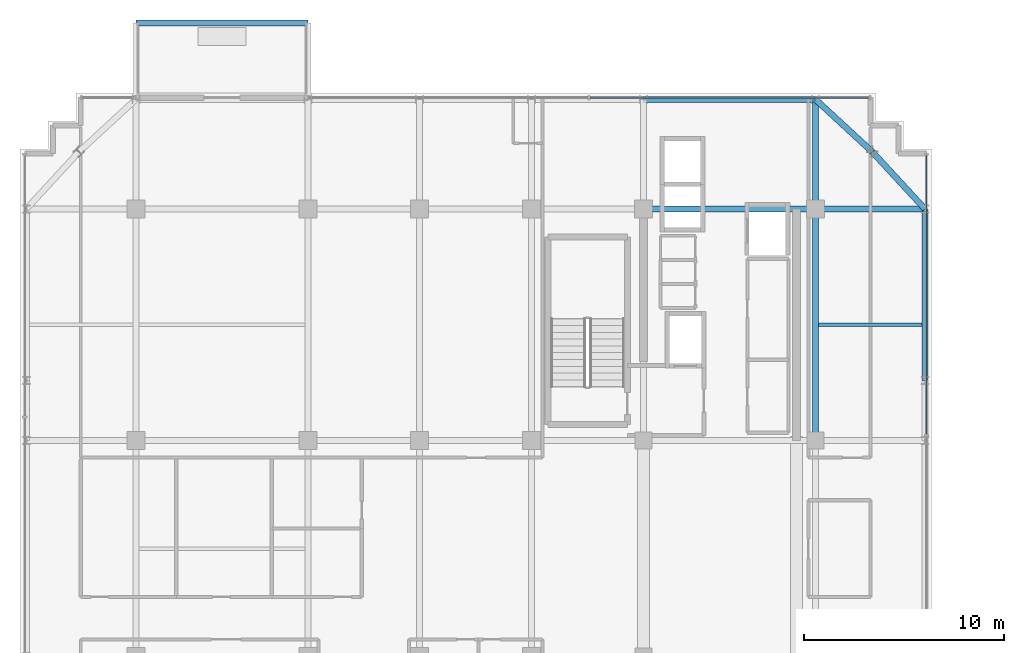
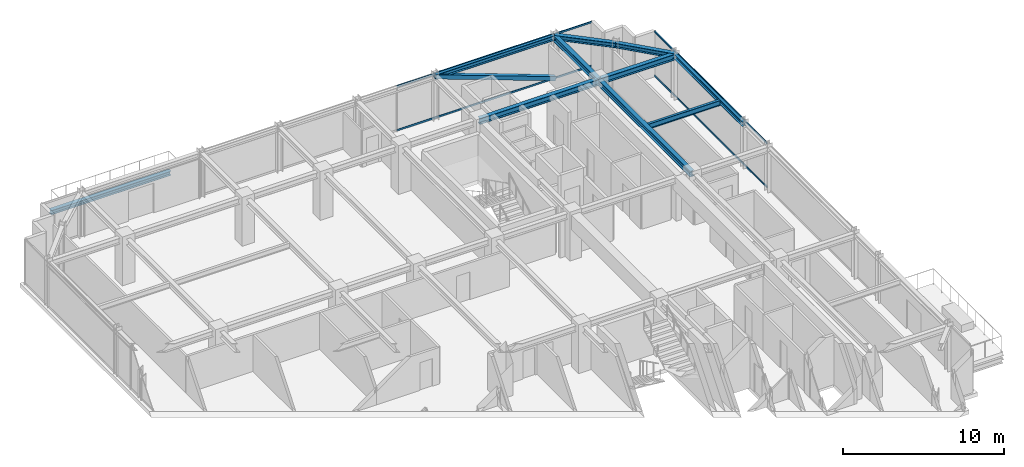
# One storey, part 21 of 31: 10 beams, 5 members, 2 elements without a shape of their own.
"""IFC4 building model written with IfcOpenShell, lengths in metres."""

from ifc_helpers import new_model, si_unit, direction, frame, origin, origin_2d, place, context, subcontext, project, spatial, hollow_rectangle, i_section, extrude, source, transform, mapped, material, material_profile, profile_set, type_object, element, aggregate, save


model = new_model("IFC4")

# Units and contexts
model_context = context("Model", 3, precision=1e-05, world=origin(), true_north=direction((0.0, 1.0)))
body_context = subcontext(model_context, "Body", "Model", "MODEL_VIEW")
ifc_project = project(units=[si_unit("LENGTHUNIT", "METRE"), si_unit("AREAUNIT", "SQUARE_METRE"), si_unit("VOLUMEUNIT", "CUBIC_METRE"), si_unit("PLANEANGLEUNIT", "RADIAN"), si_unit("MASSUNIT", "GRAM", prefix="KILO")], contexts=[model_context])

# Site, building, storey
site_placement = place(None, origin())
site = spatial("IfcSite", under=ifc_project, at=site_placement, CompositionType="ELEMENT")
building_placement = place(site_placement, origin())
building = spatial("IfcBuilding", under=site, at=building_placement, Name="Nahalor Promenade Grand Hotel", CompositionType="ELEMENT")
storey_placement = place(building_placement, frame((0.0, 0.0, 281.300048828125)))
storey = spatial("IfcBuildingStorey", under=building, at=storey_placement, Name="L72", CompositionType="ELEMENT", Elevation=281.300048828125)

# Beams
ifc_material_1 = material(Name="Steel S355JR", Category="steel")
ifc_material_profile_1 = material_profile(ifc_material_1, i_section(OverallWidth=0.3, OverallDepth=0.32, WebThickness=0.0115, FlangeThickness=0.0205, at=origin_2d()), Name="HEB 320")
ifc_profile_set_1 = profile_set([ifc_material_profile_1], Name="Steel S355JR")
beam_type_1 = type_object("IfcBeamType", Name="Beam-BalcEdge-HEB320", PredefinedType="SPANDREL", material=ifc_profile_set_1)
shared_shape_1 = source(origin(), body_context, "Body", "SweptSolid", [
    extrude(i_section(OverallWidth=0.3, OverallDepth=0.32, WebThickness=0.0115, FlangeThickness=0.0205, at=origin_2d()), origin(), (0.0, 0.0, 1.0), 8.60009765625),
])
beam_1_placement = place(storey_placement, frame((-17.0, 26.300048828125, -0.43994140625), z_axis=(1.0, 0.0, 0.0), x_axis=(0.0, 1.0, 0.0)))
element("IfcBeam", 1, at=beam_1_placement, inside=storey, type_object=beam_type_1, Name="BM-L72-BC-01-F", PredefinedType="SPANDREL", context=body_context, shape_type="MappedRepresentation", body=[
    mapped(shared_shape_1, transform((0.0, 0.0, 0.0), scale=1.0)),
])
ifc_material_profile_2 = material_profile(ifc_material_1, i_section(OverallWidth=0.3, OverallDepth=0.45, WebThickness=0.014, FlangeThickness=0.026, at=origin_2d()), Name="HEB 450")
ifc_profile_set_2 = profile_set([ifc_material_profile_2], Name="Steel S355JR")
beam_type_2 = type_object("IfcBeamType", Name="Beam-Girder-HEB450", PredefinedType="BEAM", material=ifc_profile_set_2)
shared_shape_2 = source(origin(), body_context, "Body", "SweptSolid", [
    extrude(i_section(OverallWidth=0.3, OverallDepth=0.45, WebThickness=0.014, FlangeThickness=0.026, at=origin_2d()), origin(), (0.0, 0.0, 1.0), 8.60009765625),
])
beam_2_placement = place(storey_placement, frame((8.39990234375, 17.0, 3.224853515625), z_axis=(1.0, 0.0, 0.0), x_axis=(0.0, 1.0, 0.0)))
element("IfcBeam", 2, at=beam_2_placement, inside=storey, type_object=beam_type_2, Name="BM-L72-GX-3-5", PredefinedType="BEAM", context=body_context, shape_type="MappedRepresentation", body=[
    mapped(shared_shape_2, transform((0.0, 0.0, 0.0), scale=1.0)),
])
shared_shape_3 = source(origin(), body_context, "Body", "SweptSolid", [
    extrude(i_section(OverallWidth=0.3, OverallDepth=0.45, WebThickness=0.014, FlangeThickness=0.026, at=origin_2d()), origin(), (0.0, 0.0, 1.0), 11.60009765625),
])
beam_3_placement = place(storey_placement, frame((17.0, 5.39990234375, 3.224853515625), z_axis=(0.0, 1.0, 0.0), x_axis=(-1.0, 0.0, 0.0)))
element("IfcBeam", 3, at=beam_3_placement, inside=storey, type_object=beam_type_2, Name="BM-L72-GY-5-3", PredefinedType="BEAM", context=body_context, shape_type="MappedRepresentation", body=[
    mapped(shared_shape_3, transform((0.0, 0.0, 0.0), scale=1.0)),
])
shared_shape_4 = source(origin(), body_context, "Body", "SweptSolid", [
    extrude(i_section(OverallWidth=0.3, OverallDepth=0.45, WebThickness=0.014, FlangeThickness=0.026, at=origin_2d()), origin(), (0.0, 0.0, 1.0), 5.47998046875),
])
for number, where, z_axis, x_axis, name in (
    (4, (17.0, 17.0, 3.224853515625), (1.0, 0.0, 0.0), (0.0, 1.0, 0.0), "BM-L72-GX-3-6"),
    (5, (17.0, 17.0, 3.224853515625), (0.0, 1.0, 0.0), (-1.0, 0.0, 0.0), "BM-L72-GY-5-4"),
):
    element("IfcBeam", number, at=place(storey_placement, frame(where, z_axis=z_axis, x_axis=x_axis)), inside=storey, type_object=beam_type_2, Name=name, PredefinedType="BEAM", context=body_context, shape_type="MappedRepresentation", body=[
        mapped(shared_shape_4, transform((0.0, 0.0, 0.0), scale=1.0)),
    ])
ifc_material_profile_3 = material_profile(ifc_material_1, i_section(OverallWidth=0.18, OverallDepth=0.4, WebThickness=0.0086, FlangeThickness=0.0135, at=origin_2d()), Name="IPE 400")
ifc_profile_set_3 = profile_set([ifc_material_profile_3], Name="Steel S355JR")
beam_type_3 = type_object("IfcBeamType", Name="Beam-Joist-IPE400", PredefinedType="JOIST", material=ifc_profile_set_3)
shared_shape_5 = source(origin(), body_context, "Body", "SweptSolid", [
    extrude(i_section(OverallWidth=0.18, OverallDepth=0.4, WebThickness=0.0086, FlangeThickness=0.0135, at=origin_2d()), origin(), (0.0, 0.0, 1.0), 5.18017578125),
])
beam_4_placement = place(storey_placement, frame((17.14990234375, 11.199951171875, 3.25), z_axis=(1.0, 0.0, 0.0), x_axis=(0.0, 1.0, 0.0)))
element("IfcBeam", 6, at=beam_4_placement, inside=storey, type_object=beam_type_3, Name="BM-L72-JSE-1-2", PredefinedType="JOIST", context=body_context, shape_type="MappedRepresentation", body=[
    mapped(shared_shape_5, transform((0.0, 0.0, 0.0), scale=1.0)),
])
ifc_material_profile_4 = material_profile(ifc_material_1, i_section(OverallWidth=0.3, OverallDepth=0.36, WebThickness=0.0125, FlangeThickness=0.0225, at=origin_2d()), Name="HEB 360")
ifc_profile_set_4 = profile_set([ifc_material_profile_4], Name="Steel S355JR")
beam_type_4 = type_object("IfcBeamType", Name="Beam-Spandrel-HEB360", PredefinedType="SPANDREL", material=ifc_profile_set_4)
shared_shape_6 = source(origin(), body_context, "Body", "SweptSolid", [
    extrude(i_section(OverallWidth=0.3, OverallDepth=0.36, WebThickness=0.0125, FlangeThickness=0.0225, at=origin_2d()), origin(), (0.0, 0.0, 1.0), 8.60009765625),
])
for number, where, z_axis, x_axis, name in (
    (7, (8.39990234375, 22.47998046875, 3.27001953125), (1.0, 0.0, 0.0), (0.0, 1.0, 0.0), "BM-L72-SP-N-4"),
    (8, (22.47998046875, 8.39990234375, 3.27001953125), (0.0, 1.0, 0.0), (-1.0, 0.0, 0.0), "BM-L72-SP-E-4"),
):
    element("IfcBeam", number, at=place(storey_placement, frame(where, z_axis=z_axis, x_axis=x_axis)), inside=storey, type_object=beam_type_4, Name=name, PredefinedType="SPANDREL", context=body_context, shape_type="MappedRepresentation", body=[
        mapped(shared_shape_6, transform((0.0, 0.0, 0.0), scale=1.0)),
    ])
shared_shape_7 = source(origin(), body_context, "Body", "SweptSolid", [
    extrude(i_section(OverallWidth=0.3, OverallDepth=0.36, WebThickness=0.0125, FlangeThickness=0.0225, at=origin_2d()), origin(), (0.0, 0.0, 1.0), 3.878173828125),
])
for number, where, z_axis, x_axis, name in (
    (9, (17.0, 22.47998046875, 3.27001953125), (0.73492893846, -0.678144125843, 0.0), (0.678144125843, 0.73492893846, 0.0), "BM-L72-SPC-NE-1"),
    (10, (19.85009765625, 19.85009765625, 3.27001953125), (0.678144125843, -0.73492893846, 0.0), (0.73492893846, 0.678144125843, 0.0), "BM-L72-SPC-NE-2"),
):
    element("IfcBeam", number, at=place(storey_placement, frame(where, z_axis=z_axis, x_axis=x_axis)), inside=storey, type_object=beam_type_4, Name=name, PredefinedType="SPANDREL", context=body_context, shape_type="MappedRepresentation", body=[
        mapped(shared_shape_7, transform((0.0, 0.0, 0.0), scale=1.0)),
    ])

# Member
ifc_material_profile_5 = material_profile(ifc_material_1, hollow_rectangle(XDim=0.3, YDim=0.3, WallThickness=0.016, at=origin_2d()), Name="SHS 300x300x16")
ifc_profile_set_5 = profile_set([ifc_material_profile_5], Name="Steel S355JR")
member_type_1 = type_object("IfcMemberType", Name="Mem-CrownBrace-SHS300", PredefinedType="BRACE", material=ifc_profile_set_5)
shared_shape_8 = source(origin(), body_context, "Body", "SweptSolid", [
    extrude(hollow_rectangle(XDim=0.3, YDim=0.3, WallThickness=0.016, at=origin_2d()), origin(), (0.0, 0.0, 1.0), 9.158935546875),
])
member_1_placement = place(storey_placement, frame((17.0, 22.47998046875, 0.14990234375), z_axis=(-0.938989990654, 0.0, 0.343944468558), x_axis=(0.0, -1.0, 0.0)))
element("IfcMember", 11, at=member_1_placement, inside=storey, type_object=member_type_1, Name="EXO-L72-N-1", PredefinedType="BRACE", context=body_context, shape_type="MappedRepresentation", body=[
    mapped(shared_shape_8, transform((0.0, 0.0, 0.0), scale=1.0)),
])

# Curtain wall, members
ifc_material_2 = material(Name="Anodised Bronze Aluminium EN AW-6063 T6", Category="aluminium")
curtain_wall_type = type_object("IfcCurtainWallType", Name="CW2 Typical Hotel Flush Bronze Unitised Curtain Wall", PredefinedType="USERDEFINED", material=ifc_material_2)
curtain_wall_1_placement = place(storey_placement, origin())
curtain_wall_1 = element("IfcCurtainWall", 12, at=curtain_wall_1_placement, inside=storey, type_object=curtain_wall_type, Name="L72 Curtain Wall CW-L72-N-3", ObjectType="UNITISED_CURTAIN_WALL", PredefinedType="USERDEFINED")
ifc_material_profile_6 = material_profile(ifc_material_2, hollow_rectangle(XDim=0.065, YDim=0.13, WallThickness=0.004, at=origin_2d()), Name="CWT 65x130x4")
ifc_profile_set_6 = profile_set([ifc_material_profile_6], Name="Anodised Bronze Aluminium EN AW-6063 T6")
member_type_2 = type_object("IfcMemberType", Name="CWT2 Typical Bronze Transom 65x130", PredefinedType="USERDEFINED", material=ifc_profile_set_6)
shared_shape_9 = source(origin(), body_context, "Body", "SweptSolid", [
    extrude(hollow_rectangle(XDim=0.065, YDim=0.13, WallThickness=0.004, at=origin_2d()), origin(), (0.0, 0.0, 1.0), 13.982666015625),
])
member_2_placement = place(storey_placement, frame((5.71240234375, 22.56005859375, 0.06494140625), z_axis=(1.0, 0.0, 0.0), x_axis=(0.0, 1.0, 0.0)))
member_2 = element("IfcMember", 13, at=member_2_placement, type_object=member_type_2, Name="CW-L72-N-3 Transom 1-0", ObjectType="TRANSOM", PredefinedType="USERDEFINED", context=body_context, shape_type="MappedRepresentation", body=[
    mapped(shared_shape_9, transform((0.0, 0.0, 0.0), scale=1.0)),
])
member_3_placement = place(storey_placement, frame((5.71240234375, 22.56005859375, 3.385009765625), z_axis=(1.0, 0.0, 0.0), x_axis=(0.0, 1.0, 0.0)))
member_3 = element("IfcMember", 14, at=member_3_placement, type_object=member_type_2, Name="CW-L72-N-3 Transom 1-1", ObjectType="TRANSOM", PredefinedType="USERDEFINED", context=body_context, shape_type="MappedRepresentation", body=[
    mapped(shared_shape_9, transform((0.0, 0.0, 0.0), scale=1.0)),
])
aggregate(curtain_wall_1, [member_2, member_3])

curtain_wall_2_placement = place(storey_placement, origin())
curtain_wall_2 = element("IfcCurtainWall", 15, at=curtain_wall_2_placement, inside=storey, type_object=curtain_wall_type, Name="L72 Curtain Wall CW-L72-E-3", ObjectType="UNITISED_CURTAIN_WALL", PredefinedType="USERDEFINED")
member_4_placement = place(storey_placement, frame((22.56005859375, 5.71240234375, 0.06494140625), z_axis=(0.0, 1.0, 0.0), x_axis=(-1.0, 0.0, 0.0)))
member_4 = element("IfcMember", 16, at=member_4_placement, type_object=member_type_2, Name="CW-L72-E-3 Transom 1-0", ObjectType="TRANSOM", PredefinedType="USERDEFINED", context=body_context, shape_type="MappedRepresentation", body=[
    mapped(shared_shape_9, transform((0.0, 0.0, 0.0), scale=1.0)),
])
member_5_placement = place(storey_placement, frame((22.56005859375, 5.71240234375, 3.385009765625), z_axis=(0.0, 1.0, 0.0), x_axis=(-1.0, 0.0, 0.0)))
member_5 = element("IfcMember", 17, at=member_5_placement, type_object=member_type_2, Name="CW-L72-E-3 Transom 1-1", ObjectType="TRANSOM", PredefinedType="USERDEFINED", context=body_context, shape_type="MappedRepresentation", body=[
    mapped(shared_shape_9, transform((0.0, 0.0, 0.0), scale=1.0)),
])
aggregate(curtain_wall_2, [member_4, member_5])

save(model, "model.ifc")
